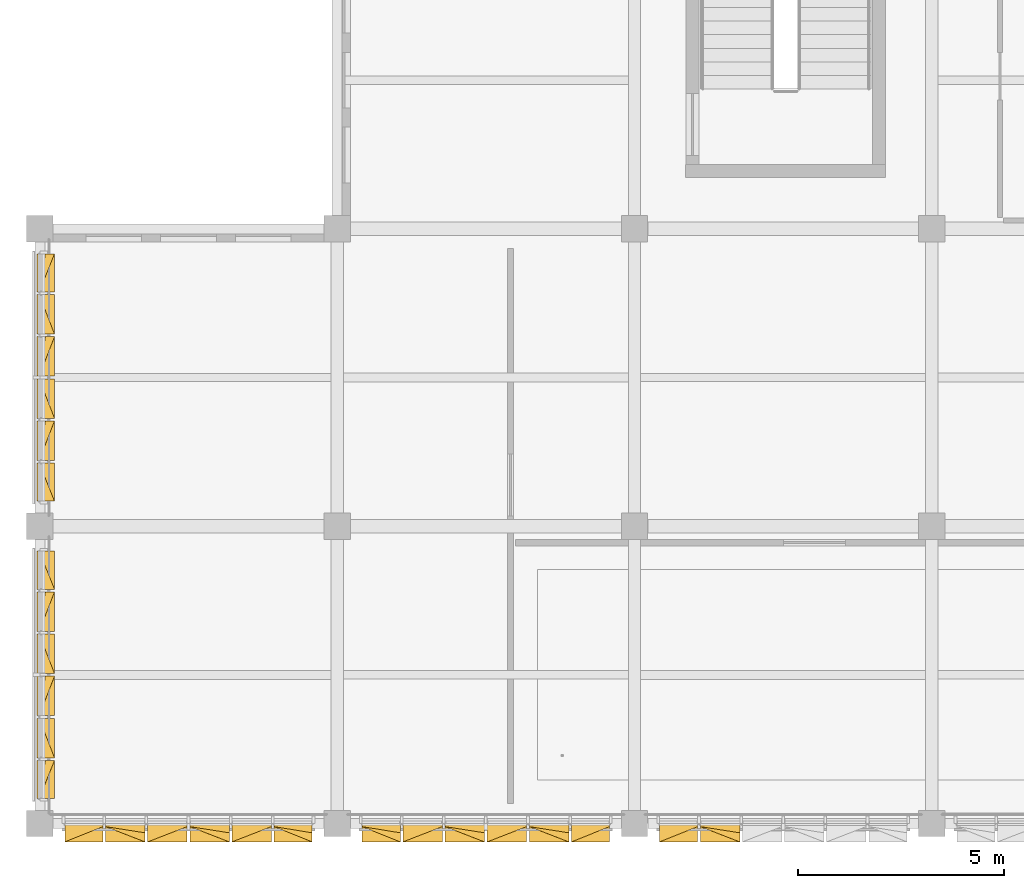
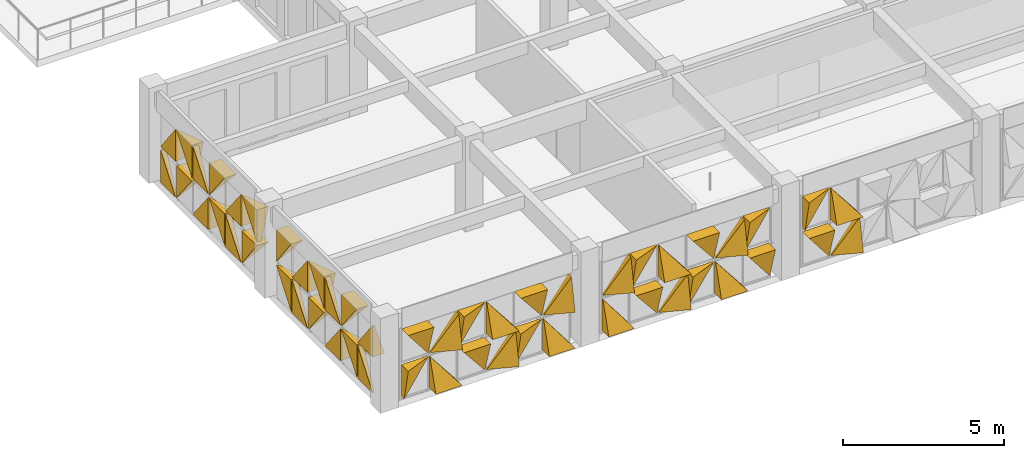
# One storey, part 76 of 85: 52 coverings.
"""IFC4 building model written with IfcOpenShell, lengths in metres."""

from ifc_helpers import new_model, si_unit, direction, frame, origin, place, context, subcontext, project, spatial, polygons, material, layer, layer_set, type_object, element, save


model = new_model("IFC4")

# Units and contexts
model_context = context("Model", 3, precision=1e-05, world=origin(), true_north=direction((0.0, 1.0)))
body_context = subcontext(model_context, "Body", "Model", "MODEL_VIEW")
ifc_project = project(units=[si_unit("LENGTHUNIT", "METRE"), si_unit("AREAUNIT", "SQUARE_METRE"), si_unit("VOLUMEUNIT", "CUBIC_METRE"), si_unit("PLANEANGLEUNIT", "RADIAN"), si_unit("MASSUNIT", "GRAM", prefix="KILO")], contexts=[model_context])

# Site, building, storey
site_placement = place(None, origin())
site = spatial("IfcSite", under=ifc_project, at=site_placement, CompositionType="ELEMENT")
building_placement = place(site_placement, origin())
building = spatial("IfcBuilding", under=site, at=building_placement, Name="Alvorim Cloister Faculty of Sciences", CompositionType="ELEMENT")
storey_placement = place(building_placement, frame((0.0, 0.0, 8.550048828125)))
storey = spatial("IfcBuildingStorey", under=building, at=storey_placement, Name="L02", CompositionType="ELEMENT", Elevation=8.550048828125)

# Coverings
ifc_material = material(Name="Perforated Bronze Alloy Sheet", Category="metal")
ifc_layer = layer(ifc_material, 0.0380859375)
ifc_layer_set = layer_set([ifc_layer], Name="Perforated Bronze Alloy Sheet")
covering_type = type_object("IfcCoveringType", Name="COV-TRI-BRZ", PredefinedType="CLADDING", material=ifc_layer_set)
covering_1_placement = place(storey_placement, frame((15.0048828125, -0.044921875, 0.139892578125), z_axis=(0.0, 0.0, 1.0), x_axis=(1.0, 0.0, 0.0)))
element("IfcCovering", 1, at=covering_1_placement, inside=storey, type_object=covering_type, Name="Diagonal Solid Metal Triangle TRI-TR", PredefinedType="CLADDING", context=body_context, shape_type="Tessellation", body=[
    polygons([(0.922607421875, 0.0260009765625, 0.002), (0.922607421875, 0.0260009765625, 1.215087890625), (0.002, 0.0260009765625, 1.215087890625), (0.922607421875, -0.03, 0.002), (0.922607421875, -0.4, 1.215087890625), (0.002, -0.4, 1.215087890625)], [[[1, 3, 2]], [[4, 5, 6]], [[1, 2, 5, 4]], [[2, 3, 6, 5]], [[3, 1, 4, 6]]], closed=True),
])
covering_2_placement = place(storey_placement, frame((15.0048828125, -0.044921875, 1.494873046875), z_axis=(0.0, 0.0, 1.0), x_axis=(1.0, 0.0, 0.0)))
element("IfcCovering", 2, at=covering_2_placement, inside=storey, type_object=covering_type, Name="Diagonal Solid Metal Triangle TRI-TL", PredefinedType="CLADDING", context=body_context, shape_type="Tessellation", body=[
    polygons([(0.920607421875, 0.0260009765625, 1.215087890625), (0.0, 0.0260009765625, 1.215087890625), (0.0, 0.0260009765625, 0.002), (0.920607421875, -0.03, 1.215087890625), (0.0, -0.4, 1.215087890625), (0.0, -0.13999999999999999, 0.002)], [[[1, 3, 2]], [[4, 5, 6]], [[1, 2, 5, 4]], [[2, 3, 6, 5]], [[3, 1, 4, 6]]], closed=True),
])
covering_3_placement = place(storey_placement, frame((15.992431640625, -0.044921875, 0.139892578125), z_axis=(0.0, 0.0, 1.0), x_axis=(1.0, 0.0, 0.0)))
element("IfcCovering", 3, at=covering_3_placement, inside=storey, type_object=covering_type, Name="Diagonal Solid Metal Triangle TRI-BR", PredefinedType="CLADDING", context=body_context, shape_type="Tessellation", body=[
    polygons([(0.002, 0.0260009765625, 0.0), (0.955078125, 0.0260009765625, 0.0), (0.955078125, 0.0260009765625, 1.213087890625), (0.002, -0.03, 0.0), (0.955078125, -0.4, 0.0), (0.955078125, -0.18000000000000002, 1.213087890625)], [[[1, 3, 2]], [[4, 5, 6]], [[1, 2, 5, 4]], [[2, 3, 6, 5]], [[3, 1, 4, 6]]], closed=True),
])
covering_4_placement = place(storey_placement, frame((15.992431640625, -0.044921875, 1.494873046875), z_axis=(0.0, 0.0, 1.0), x_axis=(1.0, 0.0, 0.0)))
element("IfcCovering", 4, at=covering_4_placement, inside=storey, type_object=covering_type, Name="Diagonal Solid Metal Triangle TRI-BL", PredefinedType="CLADDING", context=body_context, shape_type="Tessellation", body=[
    polygons([(0.0, 0.0260009765625, 0.0), (0.953078125, 0.0260009765625, 0.0), (0.0, 0.0260009765625, 1.213087890625), (0.0, -0.4, 0.0), (0.953078125, -0.4, 0.0), (0.0, -0.03, 1.213087890625)], [[[1, 3, 2]], [[4, 5, 6]], [[1, 2, 5, 4]], [[2, 3, 6, 5]], [[3, 1, 4, 6]]], closed=True),
])
covering_5_placement = place(storey_placement, frame((7.804931640625, -0.044921875, 0.139892578125), z_axis=(0.0, 0.0, 1.0), x_axis=(1.0, 0.0, 0.0)))
element("IfcCovering", 5, at=covering_5_placement, inside=storey, type_object=covering_type, Name="Diagonal Solid Metal Triangle TRI-BL", PredefinedType="CLADDING", context=body_context, shape_type="Tessellation", body=[
    polygons([(0.0, 0.0260009765625, 0.0), (0.920607421875, 0.0260009765625, 0.0), (0.0, 0.0260009765625, 1.213087890625), (0.0, -0.4, 0.0), (0.920607421875, -0.4, 0.0), (0.0, -0.03, 1.213087890625)], [[[1, 3, 2]], [[4, 5, 6]], [[1, 2, 5, 4]], [[2, 3, 6, 5]], [[3, 1, 4, 6]]], closed=True),
])
covering_6_placement = place(storey_placement, frame((7.804931640625, -0.044921875, 1.494873046875), z_axis=(0.0, 0.0, 1.0), x_axis=(1.0, 0.0, 0.0)))
element("IfcCovering", 6, at=covering_6_placement, inside=storey, type_object=covering_type, Name="Diagonal Solid Metal Triangle TRI-BR", PredefinedType="CLADDING", context=body_context, shape_type="Tessellation", body=[
    polygons([(0.002, 0.0260009765625, 0.0), (0.922607421875, 0.0260009765625, 0.0), (0.922607421875, 0.0260009765625, 1.213087890625), (0.002, -0.03, 0.0), (0.922607421875, -0.4, 0.0), (0.922607421875, -0.18000000000000002, 1.213087890625)], [[[1, 3, 2]], [[4, 5, 6]], [[1, 2, 5, 4]], [[2, 3, 6, 5]], [[3, 1, 4, 6]]], closed=True),
])
covering_7_placement = place(storey_placement, frame((8.79248046875, -0.044921875, 0.139892578125), z_axis=(0.0, 0.0, 1.0), x_axis=(1.0, 0.0, 0.0)))
element("IfcCovering", 7, at=covering_7_placement, inside=storey, type_object=covering_type, Name="Diagonal Solid Metal Triangle TRI-TR", PredefinedType="CLADDING", context=body_context, shape_type="Tessellation", body=[
    polygons([(0.955078125, 0.0260009765625, 0.002), (0.955078125, 0.0260009765625, 1.215087890625), (0.002, 0.0260009765625, 1.215087890625), (0.955078125, -0.03, 0.002), (0.955078125, -0.4, 1.215087890625), (0.002, -0.4, 1.215087890625)], [[[1, 3, 2]], [[4, 5, 6]], [[1, 2, 5, 4]], [[2, 3, 6, 5]], [[3, 1, 4, 6]]], closed=True),
])
covering_8_placement = place(storey_placement, frame((8.79248046875, -0.044921875, 1.494873046875), z_axis=(0.0, 0.0, 1.0), x_axis=(1.0, 0.0, 0.0)))
element("IfcCovering", 8, at=covering_8_placement, inside=storey, type_object=covering_type, Name="Diagonal Solid Metal Triangle TRI-TL", PredefinedType="CLADDING", context=body_context, shape_type="Tessellation", body=[
    polygons([(0.953078125, 0.0260009765625, 1.215087890625), (0.0, 0.0260009765625, 1.215087890625), (0.0, 0.0260009765625, 0.002), (0.953078125, -0.03, 1.215087890625), (0.0, -0.4, 1.215087890625), (0.0, -0.13999999999999999, 0.002)], [[[1, 3, 2]], [[4, 5, 6]], [[1, 2, 5, 4]], [[2, 3, 6, 5]], [[3, 1, 4, 6]]], closed=True),
])
covering_9_placement = place(storey_placement, frame((9.8125, -0.044921875, 0.139892578125), z_axis=(0.0, 0.0, 1.0), x_axis=(1.0, 0.0, 0.0)))
element("IfcCovering", 9, at=covering_9_placement, inside=storey, type_object=covering_type, Name="Diagonal Solid Metal Triangle TRI-BR", PredefinedType="CLADDING", context=body_context, shape_type="Tessellation", body=[
    polygons([(0.002, 0.0260009765625, 0.0), (0.955078125, 0.0260009765625, 0.0), (0.955078125, 0.0260009765625, 1.213087890625), (0.002, -0.03, 0.0), (0.955078125, -0.4, 0.0), (0.955078125, -0.18000000000000002, 1.213087890625)], [[[1, 3, 2]], [[4, 5, 6]], [[1, 2, 5, 4]], [[2, 3, 6, 5]], [[3, 1, 4, 6]]], closed=True),
])
covering_10_placement = place(storey_placement, frame((9.8125, -0.044921875, 1.494873046875), z_axis=(0.0, 0.0, 1.0), x_axis=(1.0, 0.0, 0.0)))
element("IfcCovering", 10, at=covering_10_placement, inside=storey, type_object=covering_type, Name="Diagonal Solid Metal Triangle TRI-BL", PredefinedType="CLADDING", context=body_context, shape_type="Tessellation", body=[
    polygons([(0.0, 0.0260009765625, 0.0), (0.953078125, 0.0260009765625, 0.0), (0.0, 0.0260009765625, 1.213087890625), (0.0, -0.4, 0.0), (0.953078125, -0.4, 0.0), (0.0, -0.03, 1.213087890625)], [[[1, 3, 2]], [[4, 5, 6]], [[1, 2, 5, 4]], [[2, 3, 6, 5]], [[3, 1, 4, 6]]], closed=True),
])
covering_11_placement = place(storey_placement, frame((10.83251953125, -0.044921875, 0.139892578125), z_axis=(0.0, 0.0, 1.0), x_axis=(1.0, 0.0, 0.0)))
element("IfcCovering", 11, at=covering_11_placement, inside=storey, type_object=covering_type, Name="Diagonal Solid Metal Triangle TRI-TL", PredefinedType="CLADDING", context=body_context, shape_type="Tessellation", body=[
    polygons([(0.953078125, 0.0260009765625, 1.215087890625), (0.0, 0.0260009765625, 1.215087890625), (0.0, 0.0260009765625, 0.002), (0.953078125, -0.03, 1.215087890625), (0.0, -0.4, 1.215087890625), (0.0, -0.13999999999999999, 0.002)], [[[1, 3, 2]], [[4, 5, 6]], [[1, 2, 5, 4]], [[2, 3, 6, 5]], [[3, 1, 4, 6]]], closed=True),
])
covering_12_placement = place(storey_placement, frame((10.83251953125, -0.044921875, 1.494873046875), z_axis=(0.0, 0.0, 1.0), x_axis=(1.0, 0.0, 0.0)))
element("IfcCovering", 12, at=covering_12_placement, inside=storey, type_object=covering_type, Name="Diagonal Solid Metal Triangle TRI-TR", PredefinedType="CLADDING", context=body_context, shape_type="Tessellation", body=[
    polygons([(0.955078125, 0.0260009765625, 0.002), (0.955078125, 0.0260009765625, 1.215087890625), (0.002, 0.0260009765625, 1.215087890625), (0.955078125, -0.03, 0.002), (0.955078125, -0.4, 1.215087890625), (0.002, -0.4, 1.215087890625)], [[[1, 3, 2]], [[4, 5, 6]], [[1, 2, 5, 4]], [[2, 3, 6, 5]], [[3, 1, 4, 6]]], closed=True),
])
covering_13_placement = place(storey_placement, frame((11.8525390625, -0.044921875, 0.139892578125), z_axis=(0.0, 0.0, 1.0), x_axis=(1.0, 0.0, 0.0)))
element("IfcCovering", 13, at=covering_13_placement, inside=storey, type_object=covering_type, Name="Diagonal Solid Metal Triangle TRI-BL", PredefinedType="CLADDING", context=body_context, shape_type="Tessellation", body=[
    polygons([(0.0, 0.0260009765625, 0.0), (0.953078125, 0.0260009765625, 0.0), (0.0, 0.0260009765625, 1.213087890625), (0.0, -0.4, 0.0), (0.953078125, -0.4, 0.0), (0.0, -0.03, 1.213087890625)], [[[1, 3, 2]], [[4, 5, 6]], [[1, 2, 5, 4]], [[2, 3, 6, 5]], [[3, 1, 4, 6]]], closed=True),
])
covering_14_placement = place(storey_placement, frame((11.8525390625, -0.044921875, 1.494873046875), z_axis=(0.0, 0.0, 1.0), x_axis=(1.0, 0.0, 0.0)))
element("IfcCovering", 14, at=covering_14_placement, inside=storey, type_object=covering_type, Name="Diagonal Solid Metal Triangle TRI-BR", PredefinedType="CLADDING", context=body_context, shape_type="Tessellation", body=[
    polygons([(0.002, 0.0260009765625, 0.0), (0.955078125, 0.0260009765625, 0.0), (0.955078125, 0.0260009765625, 1.213087890625), (0.002, -0.03, 0.0), (0.955078125, -0.4, 0.0), (0.955078125, -0.18000000000000002, 1.213087890625)], [[[1, 3, 2]], [[4, 5, 6]], [[1, 2, 5, 4]], [[2, 3, 6, 5]], [[3, 1, 4, 6]]], closed=True),
])
covering_15_placement = place(storey_placement, frame((12.87255859375, -0.044921875, 0.139892578125), z_axis=(0.0, 0.0, 1.0), x_axis=(1.0, 0.0, 0.0)))
element("IfcCovering", 15, at=covering_15_placement, inside=storey, type_object=covering_type, Name="Diagonal Solid Metal Triangle TRI-TR", PredefinedType="CLADDING", context=body_context, shape_type="Tessellation", body=[
    polygons([(0.922607421875, 0.0260009765625, 0.002), (0.922607421875, 0.0260009765625, 1.215087890625), (0.002, 0.0260009765625, 1.215087890625), (0.922607421875, -0.03, 0.002), (0.922607421875, -0.4, 1.215087890625), (0.002, -0.4, 1.215087890625)], [[[1, 3, 2]], [[4, 5, 6]], [[1, 2, 5, 4]], [[2, 3, 6, 5]], [[3, 1, 4, 6]]], closed=True),
])
for number, where, z_axis, x_axis, name in (
    (16, (12.87255859375, -0.044921875, 1.494873046875), (0.0, 0.0, 1.0), (1.0, 0.0, 0.0), "Diagonal Solid Metal Triangle TRI-TL"),
    (17, (0.60498046875, -0.044921875, 0.139892578125), (0.0, 0.0, 1.0), (1.0, 0.0, 0.0), "Diagonal Solid Metal Triangle TRI-TL"),
):
    element("IfcCovering", number, at=place(storey_placement, frame(where, z_axis=z_axis, x_axis=x_axis)), inside=storey, type_object=covering_type, Name=name, PredefinedType="CLADDING", context=body_context, shape_type="Tessellation", body=[
        polygons([(0.920607421875, 0.0260009765625, 1.215087890625), (0.0, 0.0260009765625, 1.215087890625), (0.0, 0.0260009765625, 0.002), (0.920607421875, -0.03, 1.215087890625), (0.0, -0.4, 1.215087890625), (0.0, -0.13999999999999999, 0.002)], [[[1, 3, 2]], [[4, 5, 6]], [[1, 2, 5, 4]], [[2, 3, 6, 5]], [[3, 1, 4, 6]]], closed=True),
    ])
covering_16_placement = place(storey_placement, frame((0.60498046875, -0.044921875, 1.494873046875), z_axis=(0.0, 0.0, 1.0), x_axis=(1.0, 0.0, 0.0)))
element("IfcCovering", 18, at=covering_16_placement, inside=storey, type_object=covering_type, Name="Diagonal Solid Metal Triangle TRI-TR", PredefinedType="CLADDING", context=body_context, shape_type="Tessellation", body=[
    polygons([(0.922607421875, 0.0260009765625, 0.002), (0.922607421875, 0.0260009765625, 1.215087890625), (0.002, 0.0260009765625, 1.215087890625), (0.922607421875, -0.03, 0.002), (0.922607421875, -0.4, 1.215087890625), (0.002, -0.4, 1.215087890625)], [[[1, 3, 2]], [[4, 5, 6]], [[1, 2, 5, 4]], [[2, 3, 6, 5]], [[3, 1, 4, 6]]], closed=True),
])
covering_17_placement = place(storey_placement, frame((1.592529296875, -0.044921875, 0.139892578125), z_axis=(0.0, 0.0, 1.0), x_axis=(1.0, 0.0, 0.0)))
element("IfcCovering", 19, at=covering_17_placement, inside=storey, type_object=covering_type, Name="Diagonal Solid Metal Triangle TRI-BL", PredefinedType="CLADDING", context=body_context, shape_type="Tessellation", body=[
    polygons([(0.0, 0.0260009765625, 0.0), (0.953078125, 0.0260009765625, 0.0), (0.0, 0.0260009765625, 1.213087890625), (0.0, -0.4, 0.0), (0.953078125, -0.4, 0.0), (0.0, -0.03, 1.213087890625)], [[[1, 3, 2]], [[4, 5, 6]], [[1, 2, 5, 4]], [[2, 3, 6, 5]], [[3, 1, 4, 6]]], closed=True),
])
covering_18_placement = place(storey_placement, frame((1.592529296875, -0.044921875, 1.494873046875), z_axis=(0.0, 0.0, 1.0), x_axis=(1.0, 0.0, 0.0)))
element("IfcCovering", 20, at=covering_18_placement, inside=storey, type_object=covering_type, Name="Diagonal Solid Metal Triangle TRI-BR", PredefinedType="CLADDING", context=body_context, shape_type="Tessellation", body=[
    polygons([(0.002, 0.0260009765625, 0.0), (0.955078125, 0.0260009765625, 0.0), (0.955078125, 0.0260009765625, 1.213087890625), (0.002, -0.03, 0.0), (0.955078125, -0.4, 0.0), (0.955078125, -0.18000000000000002, 1.213087890625)], [[[1, 3, 2]], [[4, 5, 6]], [[1, 2, 5, 4]], [[2, 3, 6, 5]], [[3, 1, 4, 6]]], closed=True),
])
covering_19_placement = place(storey_placement, frame((2.612548828125, -0.044921875, 0.139892578125), z_axis=(0.0, 0.0, 1.0), x_axis=(1.0, 0.0, 0.0)))
element("IfcCovering", 21, at=covering_19_placement, inside=storey, type_object=covering_type, Name="Diagonal Solid Metal Triangle TRI-TR", PredefinedType="CLADDING", context=body_context, shape_type="Tessellation", body=[
    polygons([(0.955078125, 0.0260009765625, 0.002), (0.955078125, 0.0260009765625, 1.215087890625), (0.002, 0.0260009765625, 1.215087890625), (0.955078125, -0.03, 0.002), (0.955078125, -0.4, 1.215087890625), (0.002, -0.4, 1.215087890625)], [[[1, 3, 2]], [[4, 5, 6]], [[1, 2, 5, 4]], [[2, 3, 6, 5]], [[3, 1, 4, 6]]], closed=True),
])
covering_20_placement = place(storey_placement, frame((2.612548828125, -0.044921875, 1.494873046875), z_axis=(0.0, 0.0, 1.0), x_axis=(1.0, 0.0, 0.0)))
element("IfcCovering", 22, at=covering_20_placement, inside=storey, type_object=covering_type, Name="Diagonal Solid Metal Triangle TRI-TL", PredefinedType="CLADDING", context=body_context, shape_type="Tessellation", body=[
    polygons([(0.953078125, 0.0260009765625, 1.215087890625), (0.0, 0.0260009765625, 1.215087890625), (0.0, 0.0260009765625, 0.002), (0.953078125, -0.03, 1.215087890625), (0.0, -0.4, 1.215087890625), (0.0, -0.13999999999999999, 0.002)], [[[1, 3, 2]], [[4, 5, 6]], [[1, 2, 5, 4]], [[2, 3, 6, 5]], [[3, 1, 4, 6]]], closed=True),
])
covering_21_placement = place(storey_placement, frame((3.632568359375, -0.044921875, 0.139892578125), z_axis=(0.0, 0.0, 1.0), x_axis=(1.0, 0.0, 0.0)))
element("IfcCovering", 23, at=covering_21_placement, inside=storey, type_object=covering_type, Name="Diagonal Solid Metal Triangle TRI-BR", PredefinedType="CLADDING", context=body_context, shape_type="Tessellation", body=[
    polygons([(0.002, 0.0260009765625, 0.0), (0.955078125, 0.0260009765625, 0.0), (0.955078125, 0.0260009765625, 1.213087890625), (0.002, -0.03, 0.0), (0.955078125, -0.4, 0.0), (0.955078125, -0.18000000000000002, 1.213087890625)], [[[1, 3, 2]], [[4, 5, 6]], [[1, 2, 5, 4]], [[2, 3, 6, 5]], [[3, 1, 4, 6]]], closed=True),
])
covering_22_placement = place(storey_placement, frame((3.632568359375, -0.044921875, 1.494873046875), z_axis=(0.0, 0.0, 1.0), x_axis=(1.0, 0.0, 0.0)))
element("IfcCovering", 24, at=covering_22_placement, inside=storey, type_object=covering_type, Name="Diagonal Solid Metal Triangle TRI-BL", PredefinedType="CLADDING", context=body_context, shape_type="Tessellation", body=[
    polygons([(0.0, 0.0260009765625, 0.0), (0.953078125, 0.0260009765625, 0.0), (0.0, 0.0260009765625, 1.213087890625), (0.0, -0.4, 0.0), (0.953078125, -0.4, 0.0), (0.0, -0.03, 1.213087890625)], [[[1, 3, 2]], [[4, 5, 6]], [[1, 2, 5, 4]], [[2, 3, 6, 5]], [[3, 1, 4, 6]]], closed=True),
])
covering_23_placement = place(storey_placement, frame((4.652587890625, -0.044921875, 0.139892578125), z_axis=(0.0, 0.0, 1.0), x_axis=(1.0, 0.0, 0.0)))
element("IfcCovering", 25, at=covering_23_placement, inside=storey, type_object=covering_type, Name="Diagonal Solid Metal Triangle TRI-TL", PredefinedType="CLADDING", context=body_context, shape_type="Tessellation", body=[
    polygons([(0.953078125, 0.0260009765625, 1.215087890625), (0.0, 0.0260009765625, 1.215087890625), (0.0, 0.0260009765625, 0.002), (0.953078125, -0.03, 1.215087890625), (0.0, -0.4, 1.215087890625), (0.0, -0.13999999999999999, 0.002)], [[[1, 3, 2]], [[4, 5, 6]], [[1, 2, 5, 4]], [[2, 3, 6, 5]], [[3, 1, 4, 6]]], closed=True),
])
covering_24_placement = place(storey_placement, frame((4.652587890625, -0.044921875, 1.494873046875), z_axis=(0.0, 0.0, 1.0), x_axis=(1.0, 0.0, 0.0)))
element("IfcCovering", 26, at=covering_24_placement, inside=storey, type_object=covering_type, Name="Diagonal Solid Metal Triangle TRI-TR", PredefinedType="CLADDING", context=body_context, shape_type="Tessellation", body=[
    polygons([(0.955078125, 0.0260009765625, 0.002), (0.955078125, 0.0260009765625, 1.215087890625), (0.002, 0.0260009765625, 1.215087890625), (0.955078125, -0.03, 0.002), (0.955078125, -0.4, 1.215087890625), (0.002, -0.4, 1.215087890625)], [[[1, 3, 2]], [[4, 5, 6]], [[1, 2, 5, 4]], [[2, 3, 6, 5]], [[3, 1, 4, 6]]], closed=True),
])
covering_25_placement = place(storey_placement, frame((5.672607421875, -0.044921875, 0.139892578125), z_axis=(0.0, 0.0, 1.0), x_axis=(1.0, 0.0, 0.0)))
element("IfcCovering", 27, at=covering_25_placement, inside=storey, type_object=covering_type, Name="Diagonal Solid Metal Triangle TRI-BL", PredefinedType="CLADDING", context=body_context, shape_type="Tessellation", body=[
    polygons([(0.0, 0.0260009765625, 0.0), (0.920607421875, 0.0260009765625, 0.0), (0.0, 0.0260009765625, 1.213087890625), (0.0, -0.4, 0.0), (0.920607421875, -0.4, 0.0), (0.0, -0.03, 1.213087890625)], [[[1, 3, 2]], [[4, 5, 6]], [[1, 2, 5, 4]], [[2, 3, 6, 5]], [[3, 1, 4, 6]]], closed=True),
])
for number, where, z_axis, x_axis, name in (
    (28, (5.672607421875, -0.044921875, 1.494873046875), (0.0, 0.0, 1.0), (1.0, 0.0, 0.0), "Diagonal Solid Metal Triangle TRI-BR"),
    (29, (-0.044921875, 0.60498046875, 0.139892578125), (0.0, 0.0, 1.0), (0.0, 1.0, 0.0), "Diagonal Solid Metal Triangle TRI-BR"),
):
    element("IfcCovering", number, at=place(storey_placement, frame(where, z_axis=z_axis, x_axis=x_axis)), inside=storey, type_object=covering_type, Name=name, PredefinedType="CLADDING", context=body_context, shape_type="Tessellation", body=[
        polygons([(0.002, 0.0260009765625, 0.0), (0.922607421875, 0.0260009765625, 0.0), (0.922607421875, 0.0260009765625, 1.213087890625), (0.002, -0.03, 0.0), (0.922607421875, -0.4, 0.0), (0.922607421875, -0.18000000000000002, 1.213087890625)], [[[1, 3, 2]], [[4, 5, 6]], [[1, 2, 5, 4]], [[2, 3, 6, 5]], [[3, 1, 4, 6]]], closed=True),
    ])
covering_26_placement = place(storey_placement, frame((-0.044921875, 0.60498046875, 1.494873046875), z_axis=(0.0, 0.0, 1.0), x_axis=(0.0, 1.0, 0.0)))
element("IfcCovering", 30, at=covering_26_placement, inside=storey, type_object=covering_type, Name="Diagonal Solid Metal Triangle TRI-BL", PredefinedType="CLADDING", context=body_context, shape_type="Tessellation", body=[
    polygons([(0.0, 0.0260009765625, 0.0), (0.920607421875, 0.0260009765625, 0.0), (0.0, 0.0260009765625, 1.213087890625), (0.0, -0.4, 0.0), (0.920607421875, -0.4, 0.0), (0.0, -0.03, 1.213087890625)], [[[1, 3, 2]], [[4, 5, 6]], [[1, 2, 5, 4]], [[2, 3, 6, 5]], [[3, 1, 4, 6]]], closed=True),
])
covering_27_placement = place(storey_placement, frame((-0.044921875, 1.592529296875, 0.139892578125), z_axis=(0.0, 0.0, 1.0), x_axis=(0.0, 1.0, 0.0)))
element("IfcCovering", 31, at=covering_27_placement, inside=storey, type_object=covering_type, Name="Diagonal Solid Metal Triangle TRI-TL", PredefinedType="CLADDING", context=body_context, shape_type="Tessellation", body=[
    polygons([(0.953078125, 0.0260009765625, 1.215087890625), (0.0, 0.0260009765625, 1.215087890625), (0.0, 0.0260009765625, 0.002), (0.953078125, -0.03, 1.215087890625), (0.0, -0.4, 1.215087890625), (0.0, -0.13999999999999999, 0.002)], [[[1, 3, 2]], [[4, 5, 6]], [[1, 2, 5, 4]], [[2, 3, 6, 5]], [[3, 1, 4, 6]]], closed=True),
])
covering_28_placement = place(storey_placement, frame((-0.044921875, 1.592529296875, 1.494873046875), z_axis=(0.0, 0.0, 1.0), x_axis=(0.0, 1.0, 0.0)))
element("IfcCovering", 32, at=covering_28_placement, inside=storey, type_object=covering_type, Name="Diagonal Solid Metal Triangle TRI-TR", PredefinedType="CLADDING", context=body_context, shape_type="Tessellation", body=[
    polygons([(0.955078125, 0.0260009765625, 0.002), (0.955078125, 0.0260009765625, 1.215087890625), (0.002, 0.0260009765625, 1.215087890625), (0.955078125, -0.03, 0.002), (0.955078125, -0.4, 1.215087890625), (0.002, -0.4, 1.215087890625)], [[[1, 3, 2]], [[4, 5, 6]], [[1, 2, 5, 4]], [[2, 3, 6, 5]], [[3, 1, 4, 6]]], closed=True),
])
covering_29_placement = place(storey_placement, frame((-0.044921875, 2.612548828125, 0.139892578125), z_axis=(0.0, 0.0, 1.0), x_axis=(0.0, 1.0, 0.0)))
element("IfcCovering", 33, at=covering_29_placement, inside=storey, type_object=covering_type, Name="Diagonal Solid Metal Triangle TRI-BL", PredefinedType="CLADDING", context=body_context, shape_type="Tessellation", body=[
    polygons([(0.0, 0.0260009765625, 0.0), (0.953078125, 0.0260009765625, 0.0), (0.0, 0.0260009765625, 1.213087890625), (0.0, -0.4, 0.0), (0.953078125, -0.4, 0.0), (0.0, -0.03, 1.213087890625)], [[[1, 3, 2]], [[4, 5, 6]], [[1, 2, 5, 4]], [[2, 3, 6, 5]], [[3, 1, 4, 6]]], closed=True),
])
covering_30_placement = place(storey_placement, frame((-0.044921875, 2.612548828125, 1.494873046875), z_axis=(0.0, 0.0, 1.0), x_axis=(0.0, 1.0, 0.0)))
element("IfcCovering", 34, at=covering_30_placement, inside=storey, type_object=covering_type, Name="Diagonal Solid Metal Triangle TRI-BR", PredefinedType="CLADDING", context=body_context, shape_type="Tessellation", body=[
    polygons([(0.002, 0.0260009765625, 0.0), (0.955078125, 0.0260009765625, 0.0), (0.955078125, 0.0260009765625, 1.213087890625), (0.002, -0.03, 0.0), (0.955078125, -0.4, 0.0), (0.955078125, -0.18000000000000002, 1.213087890625)], [[[1, 3, 2]], [[4, 5, 6]], [[1, 2, 5, 4]], [[2, 3, 6, 5]], [[3, 1, 4, 6]]], closed=True),
])
covering_31_placement = place(storey_placement, frame((-0.044921875, 3.632568359375, 0.139892578125), z_axis=(0.0, 0.0, 1.0), x_axis=(0.0, 1.0, 0.0)))
element("IfcCovering", 35, at=covering_31_placement, inside=storey, type_object=covering_type, Name="Diagonal Solid Metal Triangle TRI-TR", PredefinedType="CLADDING", context=body_context, shape_type="Tessellation", body=[
    polygons([(0.955078125, 0.0260009765625, 0.002), (0.955078125, 0.0260009765625, 1.215087890625), (0.002, 0.0260009765625, 1.215087890625), (0.955078125, -0.03, 0.002), (0.955078125, -0.4, 1.215087890625), (0.002, -0.4, 1.215087890625)], [[[1, 3, 2]], [[4, 5, 6]], [[1, 2, 5, 4]], [[2, 3, 6, 5]], [[3, 1, 4, 6]]], closed=True),
])
covering_32_placement = place(storey_placement, frame((-0.044921875, 3.632568359375, 1.494873046875), z_axis=(0.0, 0.0, 1.0), x_axis=(0.0, 1.0, 0.0)))
element("IfcCovering", 36, at=covering_32_placement, inside=storey, type_object=covering_type, Name="Diagonal Solid Metal Triangle TRI-TL", PredefinedType="CLADDING", context=body_context, shape_type="Tessellation", body=[
    polygons([(0.953078125, 0.0260009765625, 1.215087890625), (0.0, 0.0260009765625, 1.215087890625), (0.0, 0.0260009765625, 0.002), (0.953078125, -0.03, 1.215087890625), (0.0, -0.4, 1.215087890625), (0.0, -0.13999999999999999, 0.002)], [[[1, 3, 2]], [[4, 5, 6]], [[1, 2, 5, 4]], [[2, 3, 6, 5]], [[3, 1, 4, 6]]], closed=True),
])
covering_33_placement = place(storey_placement, frame((-0.044921875, 4.652587890625, 0.139892578125), z_axis=(0.0, 0.0, 1.0), x_axis=(0.0, 1.0, 0.0)))
element("IfcCovering", 37, at=covering_33_placement, inside=storey, type_object=covering_type, Name="Diagonal Solid Metal Triangle TRI-BR", PredefinedType="CLADDING", context=body_context, shape_type="Tessellation", body=[
    polygons([(0.002, 0.0260009765625, 0.0), (0.955078125, 0.0260009765625, 0.0), (0.955078125, 0.0260009765625, 1.213087890625), (0.002, -0.03, 0.0), (0.955078125, -0.4, 0.0), (0.955078125, -0.18000000000000002, 1.213087890625)], [[[1, 3, 2]], [[4, 5, 6]], [[1, 2, 5, 4]], [[2, 3, 6, 5]], [[3, 1, 4, 6]]], closed=True),
])
covering_34_placement = place(storey_placement, frame((-0.044921875, 4.652587890625, 1.494873046875), z_axis=(0.0, 0.0, 1.0), x_axis=(0.0, 1.0, 0.0)))
element("IfcCovering", 38, at=covering_34_placement, inside=storey, type_object=covering_type, Name="Diagonal Solid Metal Triangle TRI-BL", PredefinedType="CLADDING", context=body_context, shape_type="Tessellation", body=[
    polygons([(0.0, 0.0260009765625, 0.0), (0.953078125, 0.0260009765625, 0.0), (0.0, 0.0260009765625, 1.213087890625), (0.0, -0.4, 0.0), (0.953078125, -0.4, 0.0), (0.0, -0.03, 1.213087890625)], [[[1, 3, 2]], [[4, 5, 6]], [[1, 2, 5, 4]], [[2, 3, 6, 5]], [[3, 1, 4, 6]]], closed=True),
])
covering_35_placement = place(storey_placement, frame((-0.044921875, 5.672607421875, 0.139892578125), z_axis=(0.0, 0.0, 1.0), x_axis=(0.0, 1.0, 0.0)))
element("IfcCovering", 39, at=covering_35_placement, inside=storey, type_object=covering_type, Name="Diagonal Solid Metal Triangle TRI-TL", PredefinedType="CLADDING", context=body_context, shape_type="Tessellation", body=[
    polygons([(0.920607421875, 0.0260009765625, 1.215087890625), (0.0, 0.0260009765625, 1.215087890625), (0.0, 0.0260009765625, 0.002), (0.920607421875, -0.03, 1.215087890625), (0.0, -0.4, 1.215087890625), (0.0, -0.13999999999999999, 0.002)], [[[1, 3, 2]], [[4, 5, 6]], [[1, 2, 5, 4]], [[2, 3, 6, 5]], [[3, 1, 4, 6]]], closed=True),
])
for number, where, z_axis, x_axis, name in (
    (40, (-0.044921875, 5.672607421875, 1.494873046875), (0.0, 0.0, 1.0), (0.0, 1.0, 0.0), "Diagonal Solid Metal Triangle TRI-TR"),
    (41, (-0.044921875, 7.804931640625, 0.139892578125), (0.0, 0.0, 1.0), (0.0, 1.0, 0.0), "Diagonal Solid Metal Triangle TRI-TR"),
):
    element("IfcCovering", number, at=place(storey_placement, frame(where, z_axis=z_axis, x_axis=x_axis)), inside=storey, type_object=covering_type, Name=name, PredefinedType="CLADDING", context=body_context, shape_type="Tessellation", body=[
        polygons([(0.922607421875, 0.0260009765625, 0.002), (0.922607421875, 0.0260009765625, 1.215087890625), (0.002, 0.0260009765625, 1.215087890625), (0.922607421875, -0.03, 0.002), (0.922607421875, -0.4, 1.215087890625), (0.002, -0.4, 1.215087890625)], [[[1, 3, 2]], [[4, 5, 6]], [[1, 2, 5, 4]], [[2, 3, 6, 5]], [[3, 1, 4, 6]]], closed=True),
    ])
covering_36_placement = place(storey_placement, frame((-0.044921875, 7.804931640625, 1.494873046875), z_axis=(0.0, 0.0, 1.0), x_axis=(0.0, 1.0, 0.0)))
element("IfcCovering", 42, at=covering_36_placement, inside=storey, type_object=covering_type, Name="Diagonal Solid Metal Triangle TRI-TL", PredefinedType="CLADDING", context=body_context, shape_type="Tessellation", body=[
    polygons([(0.920607421875, 0.0260009765625, 1.215087890625), (0.0, 0.0260009765625, 1.215087890625), (0.0, 0.0260009765625, 0.002), (0.920607421875, -0.03, 1.215087890625), (0.0, -0.4, 1.215087890625), (0.0, -0.13999999999999999, 0.002)], [[[1, 3, 2]], [[4, 5, 6]], [[1, 2, 5, 4]], [[2, 3, 6, 5]], [[3, 1, 4, 6]]], closed=True),
])
covering_37_placement = place(storey_placement, frame((-0.044921875, 8.79248046875, 0.139892578125), z_axis=(0.0, 0.0, 1.0), x_axis=(0.0, 1.0, 0.0)))
element("IfcCovering", 43, at=covering_37_placement, inside=storey, type_object=covering_type, Name="Diagonal Solid Metal Triangle TRI-BR", PredefinedType="CLADDING", context=body_context, shape_type="Tessellation", body=[
    polygons([(0.002, 0.0260009765625, 0.0), (0.955078125, 0.0260009765625, 0.0), (0.955078125, 0.0260009765625, 1.213087890625), (0.002, -0.03, 0.0), (0.955078125, -0.4, 0.0), (0.955078125, -0.18000000000000002, 1.213087890625)], [[[1, 3, 2]], [[4, 5, 6]], [[1, 2, 5, 4]], [[2, 3, 6, 5]], [[3, 1, 4, 6]]], closed=True),
])
covering_38_placement = place(storey_placement, frame((-0.044921875, 8.79248046875, 1.494873046875), z_axis=(0.0, 0.0, 1.0), x_axis=(0.0, 1.0, 0.0)))
element("IfcCovering", 44, at=covering_38_placement, inside=storey, type_object=covering_type, Name="Diagonal Solid Metal Triangle TRI-BL", PredefinedType="CLADDING", context=body_context, shape_type="Tessellation", body=[
    polygons([(0.0, 0.0260009765625, 0.0), (0.953078125, 0.0260009765625, 0.0), (0.0, 0.0260009765625, 1.213087890625), (0.0, -0.4, 0.0), (0.953078125, -0.4, 0.0), (0.0, -0.03, 1.213087890625)], [[[1, 3, 2]], [[4, 5, 6]], [[1, 2, 5, 4]], [[2, 3, 6, 5]], [[3, 1, 4, 6]]], closed=True),
])
covering_39_placement = place(storey_placement, frame((-0.044921875, 9.8125, 0.139892578125), z_axis=(0.0, 0.0, 1.0), x_axis=(0.0, 1.0, 0.0)))
element("IfcCovering", 45, at=covering_39_placement, inside=storey, type_object=covering_type, Name="Diagonal Solid Metal Triangle TRI-TL", PredefinedType="CLADDING", context=body_context, shape_type="Tessellation", body=[
    polygons([(0.953078125, 0.0260009765625, 1.215087890625), (0.0, 0.0260009765625, 1.215087890625), (0.0, 0.0260009765625, 0.002), (0.953078125, -0.03, 1.215087890625), (0.0, -0.4, 1.215087890625), (0.0, -0.13999999999999999, 0.002)], [[[1, 3, 2]], [[4, 5, 6]], [[1, 2, 5, 4]], [[2, 3, 6, 5]], [[3, 1, 4, 6]]], closed=True),
])
covering_40_placement = place(storey_placement, frame((-0.044921875, 9.8125, 1.494873046875), z_axis=(0.0, 0.0, 1.0), x_axis=(0.0, 1.0, 0.0)))
element("IfcCovering", 46, at=covering_40_placement, inside=storey, type_object=covering_type, Name="Diagonal Solid Metal Triangle TRI-TR", PredefinedType="CLADDING", context=body_context, shape_type="Tessellation", body=[
    polygons([(0.955078125, 0.0260009765625, 0.002), (0.955078125, 0.0260009765625, 1.215087890625), (0.002, 0.0260009765625, 1.215087890625), (0.955078125, -0.03, 0.002), (0.955078125, -0.4, 1.215087890625), (0.002, -0.4, 1.215087890625)], [[[1, 3, 2]], [[4, 5, 6]], [[1, 2, 5, 4]], [[2, 3, 6, 5]], [[3, 1, 4, 6]]], closed=True),
])
covering_41_placement = place(storey_placement, frame((-0.044921875, 10.83251953125, 0.139892578125), z_axis=(0.0, 0.0, 1.0), x_axis=(0.0, 1.0, 0.0)))
element("IfcCovering", 47, at=covering_41_placement, inside=storey, type_object=covering_type, Name="Diagonal Solid Metal Triangle TRI-BL", PredefinedType="CLADDING", context=body_context, shape_type="Tessellation", body=[
    polygons([(0.0, 0.0260009765625, 0.0), (0.953078125, 0.0260009765625, 0.0), (0.0, 0.0260009765625, 1.213087890625), (0.0, -0.4, 0.0), (0.953078125, -0.4, 0.0), (0.0, -0.03, 1.213087890625)], [[[1, 3, 2]], [[4, 5, 6]], [[1, 2, 5, 4]], [[2, 3, 6, 5]], [[3, 1, 4, 6]]], closed=True),
])
covering_42_placement = place(storey_placement, frame((-0.044921875, 10.83251953125, 1.494873046875), z_axis=(0.0, 0.0, 1.0), x_axis=(0.0, 1.0, 0.0)))
element("IfcCovering", 48, at=covering_42_placement, inside=storey, type_object=covering_type, Name="Diagonal Solid Metal Triangle TRI-BR", PredefinedType="CLADDING", context=body_context, shape_type="Tessellation", body=[
    polygons([(0.002, 0.0260009765625, 0.0), (0.955078125, 0.0260009765625, 0.0), (0.955078125, 0.0260009765625, 1.213087890625), (0.002, -0.03, 0.0), (0.955078125, -0.4, 0.0), (0.955078125, -0.18000000000000002, 1.213087890625)], [[[1, 3, 2]], [[4, 5, 6]], [[1, 2, 5, 4]], [[2, 3, 6, 5]], [[3, 1, 4, 6]]], closed=True),
])
covering_43_placement = place(storey_placement, frame((-0.044921875, 11.8525390625, 0.139892578125), z_axis=(0.0, 0.0, 1.0), x_axis=(0.0, 1.0, 0.0)))
element("IfcCovering", 49, at=covering_43_placement, inside=storey, type_object=covering_type, Name="Diagonal Solid Metal Triangle TRI-TR", PredefinedType="CLADDING", context=body_context, shape_type="Tessellation", body=[
    polygons([(0.955078125, 0.0260009765625, 0.002), (0.955078125, 0.0260009765625, 1.215087890625), (0.002, 0.0260009765625, 1.215087890625), (0.955078125, -0.03, 0.002), (0.955078125, -0.4, 1.215087890625), (0.002, -0.4, 1.215087890625)], [[[1, 3, 2]], [[4, 5, 6]], [[1, 2, 5, 4]], [[2, 3, 6, 5]], [[3, 1, 4, 6]]], closed=True),
])
covering_44_placement = place(storey_placement, frame((-0.044921875, 11.8525390625, 1.494873046875), z_axis=(0.0, 0.0, 1.0), x_axis=(0.0, 1.0, 0.0)))
element("IfcCovering", 50, at=covering_44_placement, inside=storey, type_object=covering_type, Name="Diagonal Solid Metal Triangle TRI-TL", PredefinedType="CLADDING", context=body_context, shape_type="Tessellation", body=[
    polygons([(0.953078125, 0.0260009765625, 1.215087890625), (0.0, 0.0260009765625, 1.215087890625), (0.0, 0.0260009765625, 0.002), (0.953078125, -0.03, 1.215087890625), (0.0, -0.4, 1.215087890625), (0.0, -0.13999999999999999, 0.002)], [[[1, 3, 2]], [[4, 5, 6]], [[1, 2, 5, 4]], [[2, 3, 6, 5]], [[3, 1, 4, 6]]], closed=True),
])
covering_45_placement = place(storey_placement, frame((-0.044921875, 12.87255859375, 0.139892578125), z_axis=(0.0, 0.0, 1.0), x_axis=(0.0, 1.0, 0.0)))
element("IfcCovering", 51, at=covering_45_placement, inside=storey, type_object=covering_type, Name="Diagonal Solid Metal Triangle TRI-BR", PredefinedType="CLADDING", context=body_context, shape_type="Tessellation", body=[
    polygons([(0.002, 0.0260009765625, 0.0), (0.922607421875, 0.0260009765625, 0.0), (0.922607421875, 0.0260009765625, 1.213087890625), (0.002, -0.03, 0.0), (0.922607421875, -0.4, 0.0), (0.922607421875, -0.18000000000000002, 1.213087890625)], [[[1, 3, 2]], [[4, 5, 6]], [[1, 2, 5, 4]], [[2, 3, 6, 5]], [[3, 1, 4, 6]]], closed=True),
])
covering_46_placement = place(storey_placement, frame((-0.044921875, 12.87255859375, 1.494873046875), z_axis=(0.0, 0.0, 1.0), x_axis=(0.0, 1.0, 0.0)))
element("IfcCovering", 52, at=covering_46_placement, inside=storey, type_object=covering_type, Name="Diagonal Solid Metal Triangle TRI-BL", PredefinedType="CLADDING", context=body_context, shape_type="Tessellation", body=[
    polygons([(0.0, 0.0260009765625, 0.0), (0.920607421875, 0.0260009765625, 0.0), (0.0, 0.0260009765625, 1.213087890625), (0.0, -0.4, 0.0), (0.920607421875, -0.4, 0.0), (0.0, -0.03, 1.213087890625)], [[[1, 3, 2]], [[4, 5, 6]], [[1, 2, 5, 4]], [[2, 3, 6, 5]], [[3, 1, 4, 6]]], closed=True),
])

save(model, "model.ifc")
